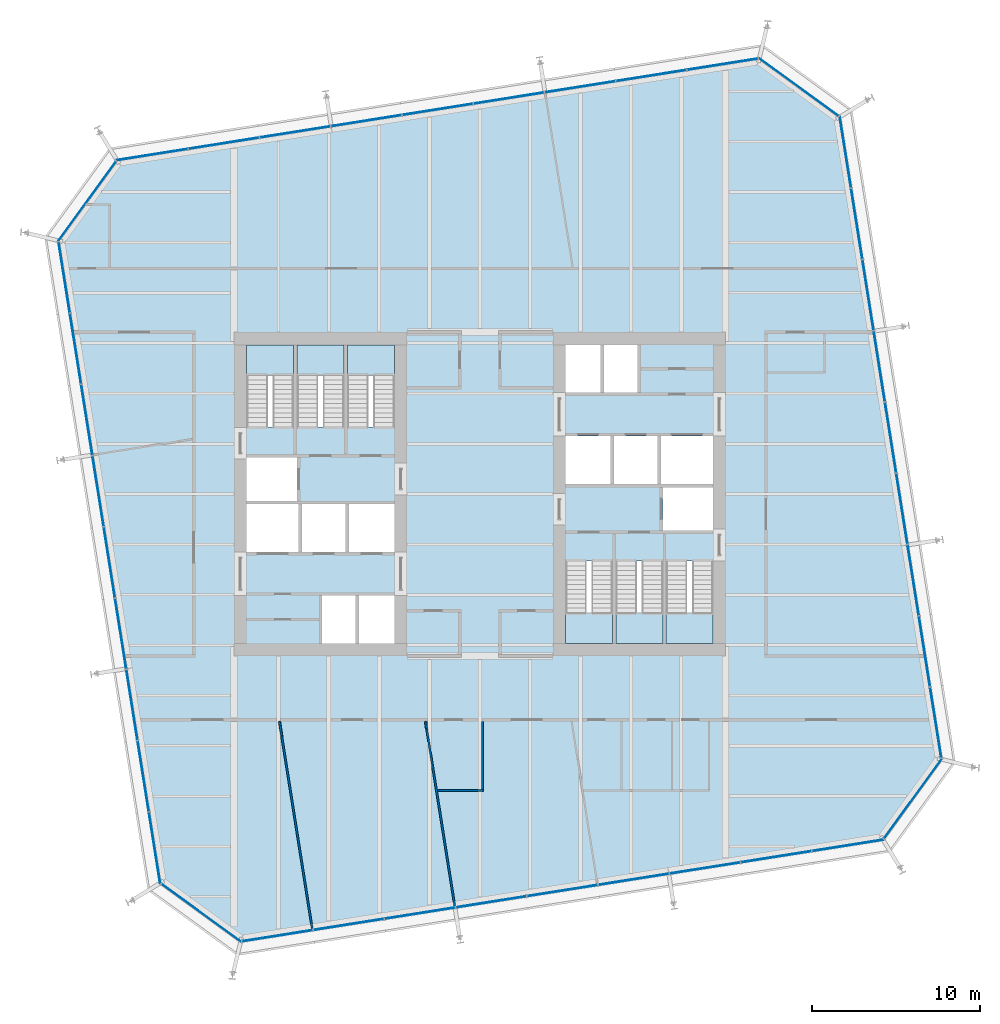
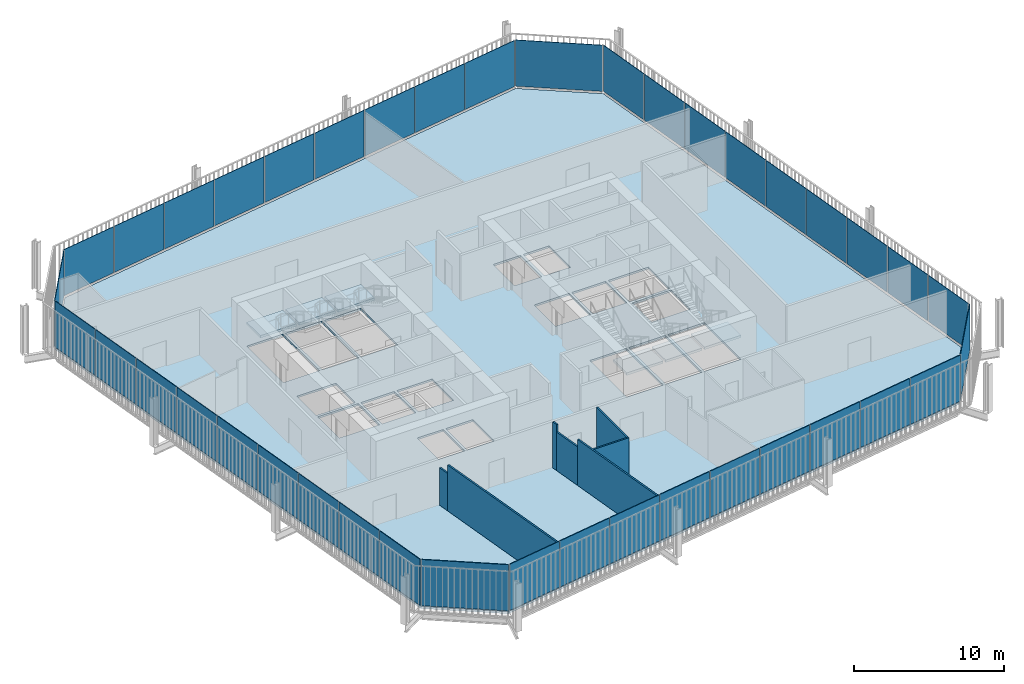
# One storey, part 16 of 21: 40 plates, 7 slabs, 7 walls, 14 elements without a shape of their own.
"""IFC4 building model written with IfcOpenShell, lengths in metres."""

from ifc_helpers import new_model, si_unit, direction, frame, frame_2d, origin, place, context, subcontext, project, spatial, polyline, rectangle, outline, extrude, material, layer, layer_set, type_object, element, aggregate, save


model = new_model("IFC4")

# Units and contexts
model_context = context("Model", 3, precision=1e-05, world=origin(), true_north=direction((0.0, 1.0)))
body_context = subcontext(model_context, "Body", "Model", "MODEL_VIEW")
ifc_project = project(units=[si_unit("LENGTHUNIT", "METRE"), si_unit("AREAUNIT", "SQUARE_METRE"), si_unit("VOLUMEUNIT", "CUBIC_METRE"), si_unit("PLANEANGLEUNIT", "RADIAN"), si_unit("MASSUNIT", "GRAM", prefix="KILO")], contexts=[model_context])

# Site, building, storey
site_placement = place(None, origin())
site = spatial("IfcSite", under=ifc_project, at=site_placement, CompositionType="ELEMENT")
building_placement = place(site_placement, origin())
building = spatial("IfcBuilding", under=site, at=building_placement, Name="Millrace Tower", CompositionType="ELEMENT")
storey_placement = place(building_placement, frame((0.0, 0.0, 149.0)))
storey = spatial("IfcBuildingStorey", under=building, at=storey_placement, Name="L33", CompositionType="ELEMENT", Elevation=149.0)

# Curtain wall, plate
ifc_material_1 = material(Name="Aluminium and glass", Category="aluminium")
ifc_layer_1 = layer(ifc_material_1, 0.14990234375)
ifc_layer_set_1 = layer_set([ifc_layer_1], Name="Aluminium and glass")
curtain_wall_type = type_object("IfcCurtainWallType", Name="CW-1 office vision curtain wall", PredefinedType="NOTDEFINED", material=ifc_layer_set_1)
placement_1 = place(storey_placement, origin())
curtain_wall_1 = element("IfcCurtainWall", 1, at=placement_1, inside=storey, type_object=curtain_wall_type, Name="Curtain wall C-F01 L33", PredefinedType="NOTDEFINED")
ifc_material_2 = material(Name="Glass", Category="glass")
ifc_layer_2 = layer(ifc_material_2, 0.0439453125)
ifc_layer_set_2 = layer_set([ifc_layer_2], Name="Glass")
plate_type = type_object("IfcPlateType", Name="CW-1 office vision curtain wall triple-glazed vision panel", PredefinedType="CURTAIN_PANEL", material=ifc_layer_set_2)
placement_2 = place(storey_placement, frame((0.0, 0.0, 0.139892578125)))
plate_1 = element("IfcPlate", 2, at=placement_2, type_object=plate_type, Name="CW1 panel C-F01.1", PredefinedType="CURTAIN_PANEL", context=body_context, shape_type="SweptSolid", body=[
    extrude(outline(polyline([(-18.988037109375, -23.254638671875), (-14.260009765625, -26.689697265625), (-14.2490234375, -26.6435546875), (-18.962158203125, -23.218994140625), (-18.988037109375, -23.254638671875)])), origin(), (0.0, 0.0, 1.0), 3.760009765625),
])
aggregate(curtain_wall_1, [plate_1])

# Curtain wall, plates
curtain_wall_2 = element("IfcCurtainWall", 3, at=placement_1, inside=storey, type_object=curtain_wall_type, Name="Curtain wall C-F02 L33", PredefinedType="NOTDEFINED")
plate_2 = element("IfcPlate", 4, at=placement_2, type_object=plate_type, Name="CW1 panel C-F02.1", PredefinedType="CURTAIN_PANEL", context=body_context, shape_type="SweptSolid", body=[
    extrude(outline(polyline([(-14.15625, -26.67333984375), (-9.973388671875, -26.0107421875), (-9.980224609375, -25.96728515625), (-14.1630859375, -26.6298828125), (-14.15625, -26.67333984375)])), origin(), (0.0, 0.0, 1.0), 3.760009765625),
])
plate_3 = element("IfcPlate", 5, at=placement_2, type_object=plate_type, Name="CW1 panel C-F02.2", PredefinedType="CURTAIN_PANEL", context=body_context, shape_type="SweptSolid", body=[
    extrude(outline(polyline([(-9.9091796875, -26.000732421875), (-5.726318359375, -25.338134765625), (-5.733154296875, -25.294677734375), (-9.916015625, -25.957275390625), (-9.9091796875, -26.000732421875)])), origin(), (0.0, 0.0, 1.0), 3.760009765625),
])
plate_4 = element("IfcPlate", 6, at=placement_2, type_object=plate_type, Name="CW1 panel C-F02.3", PredefinedType="CURTAIN_PANEL", context=body_context, shape_type="SweptSolid", body=[
    extrude(outline(polyline([(-5.662109375, -25.327880859375), (-1.479248046875, -24.66552734375), (-1.486083984375, -24.6220703125), (-5.6689453125, -25.284423828125), (-5.662109375, -25.327880859375)])), origin(), (0.0, 0.0, 1.0), 3.760009765625),
])
plate_5 = element("IfcPlate", 7, at=placement_2, type_object=plate_type, Name="CW1 panel C-F02.4", PredefinedType="CURTAIN_PANEL", context=body_context, shape_type="SweptSolid", body=[
    extrude(outline(polyline([(-1.4150390625, -24.6552734375), (2.767822265625, -23.992919921875), (2.760986328125, -23.949462890625), (-1.421875, -24.61181640625), (-1.4150390625, -24.6552734375)])), origin(), (0.0, 0.0, 1.0), 3.760009765625),
])
plate_6 = element("IfcPlate", 8, at=placement_2, type_object=plate_type, Name="CW1 panel C-F02.5", PredefinedType="CURTAIN_PANEL", context=body_context, shape_type="SweptSolid", body=[
    extrude(outline(polyline([(2.83203125, -23.982666015625), (7.014892578125, -23.320068359375), (7.008056640625, -23.276611328125), (2.8251953125, -23.939208984375), (2.83203125, -23.982666015625)])), origin(), (0.0, 0.0, 1.0), 3.760009765625),
])
plate_7 = element("IfcPlate", 9, at=placement_2, type_object=plate_type, Name="CW1 panel C-F02.6", PredefinedType="CURTAIN_PANEL", context=body_context, shape_type="SweptSolid", body=[
    extrude(outline(polyline([(7.0791015625, -23.31005859375), (11.261962890625, -22.6474609375), (11.255126953125, -22.60400390625), (7.072265625, -23.2666015625), (7.0791015625, -23.31005859375)])), origin(), (0.0, 0.0, 1.0), 3.760009765625),
])
plate_8 = element("IfcPlate", 10, at=placement_2, type_object=plate_type, Name="CW1 panel C-F02.7", PredefinedType="CURTAIN_PANEL", context=body_context, shape_type="SweptSolid", body=[
    extrude(outline(polyline([(11.326171875, -22.63720703125), (15.509033203125, -21.974853515625), (15.502197265625, -21.931396484375), (11.3193359375, -22.59375), (11.326171875, -22.63720703125)])), origin(), (0.0, 0.0, 1.0), 3.760009765625),
])
plate_9 = element("IfcPlate", 11, at=placement_2, type_object=plate_type, Name="CW1 panel C-F02.8", PredefinedType="CURTAIN_PANEL", context=body_context, shape_type="SweptSolid", body=[
    extrude(outline(polyline([(15.5732421875, -21.964599609375), (19.756103515625, -21.30224609375), (19.749267578125, -21.2587890625), (15.56640625, -21.921142578125), (15.5732421875, -21.964599609375)])), origin(), (0.0, 0.0, 1.0), 3.760009765625),
])
plate_10 = element("IfcPlate", 12, at=placement_2, type_object=plate_type, Name="CW1 panel C-F02.9", PredefinedType="CURTAIN_PANEL", context=body_context, shape_type="SweptSolid", body=[
    extrude(outline(polyline([(19.8203125, -21.2919921875), (24.042724609375, -20.623291015625), (24.01806640625, -20.58251953125), (19.8134765625, -21.24853515625), (19.8203125, -21.2919921875)])), origin(), (0.0, 0.0, 1.0), 3.760009765625),
])
aggregate(curtain_wall_2, [plate_2, plate_3, plate_4, plate_5, plate_6, plate_7, plate_8, plate_9, plate_10])

# Curtain wall, plate
curtain_wall_3 = element("IfcCurtainWall", 13, at=placement_1, inside=storey, type_object=curtain_wall_type, Name="Curtain wall C-F03 L33", PredefinedType="NOTDEFINED")
plate_11 = element("IfcPlate", 14, at=placement_2, type_object=plate_type, Name="CW1 panel C-F03.1", PredefinedType="CURTAIN_PANEL", context=body_context, shape_type="SweptSolid", body=[
    extrude(outline(polyline([(24.104736328125, -20.5380859375), (27.539794921875, -15.81005859375), (27.493408203125, -15.799072265625), (24.069091796875, -20.51220703125), (24.104736328125, -20.5380859375)])), origin(), (0.0, 0.0, 1.0), 3.760009765625),
])
aggregate(curtain_wall_3, [plate_11])

# Curtain wall, plates
curtain_wall_4 = element("IfcCurtainWall", 15, at=placement_1, inside=storey, type_object=curtain_wall_type, Name="Curtain wall C-F04 L33", PredefinedType="NOTDEFINED")
plate_12 = element("IfcPlate", 16, at=placement_2, type_object=plate_type, Name="CW1 panel C-F04.1", PredefinedType="CURTAIN_PANEL", context=body_context, shape_type="SweptSolid", body=[
    extrude(outline(polyline([(27.5234375, -15.706298828125), (26.86083984375, -11.5234375), (26.8173828125, -11.5302734375), (27.47998046875, -15.713134765625), (27.5234375, -15.706298828125)])), origin(), (0.0, 0.0, 1.0), 3.760009765625),
])
plate_13 = element("IfcPlate", 17, at=placement_2, type_object=plate_type, Name="CW1 panel C-F04.2", PredefinedType="CURTAIN_PANEL", context=body_context, shape_type="SweptSolid", body=[
    extrude(outline(polyline([(26.8505859375, -11.459228515625), (26.188232421875, -7.2763671875), (26.144775390625, -7.283203125), (26.80712890625, -11.466064453125), (26.8505859375, -11.459228515625)])), origin(), (0.0, 0.0, 1.0), 3.760009765625),
])
plate_14 = element("IfcPlate", 18, at=placement_2, type_object=plate_type, Name="CW1 panel C-F04.3", PredefinedType="CURTAIN_PANEL", context=body_context, shape_type="SweptSolid", body=[
    extrude(outline(polyline([(26.177978515625, -7.212158203125), (25.515380859375, -3.029296875), (25.471923828125, -3.0361328125), (26.134521484375, -7.218994140625), (26.177978515625, -7.212158203125)])), origin(), (0.0, 0.0, 1.0), 3.760009765625),
])
plate_15 = element("IfcPlate", 19, at=placement_2, type_object=plate_type, Name="CW1 panel C-F04.4", PredefinedType="CURTAIN_PANEL", context=body_context, shape_type="SweptSolid", body=[
    extrude(outline(polyline([(25.50537109375, -2.965087890625), (24.8427734375, 1.2177734375), (24.79931640625, 1.2109375), (25.4619140625, -2.971923828125), (25.50537109375, -2.965087890625)])), origin(), (0.0, 0.0, 1.0), 3.760009765625),
])
plate_16 = element("IfcPlate", 20, at=placement_2, type_object=plate_type, Name="CW1 panel C-F04.5", PredefinedType="CURTAIN_PANEL", context=body_context, shape_type="SweptSolid", body=[
    extrude(outline(polyline([(24.832763671875, 1.281982421875), (24.170166015625, 5.46484375), (24.126708984375, 5.4580078125), (24.789306640625, 1.275146484375), (24.832763671875, 1.281982421875)])), origin(), (0.0, 0.0, 1.0), 3.760009765625),
])
plate_17 = element("IfcPlate", 21, at=placement_2, type_object=plate_type, Name="CW1 panel C-F04.6", PredefinedType="CURTAIN_PANEL", context=body_context, shape_type="SweptSolid", body=[
    extrude(outline(polyline([(24.159912109375, 5.529052734375), (23.49755859375, 9.7119140625), (23.4541015625, 9.705078125), (24.116455078125, 5.522216796875), (24.159912109375, 5.529052734375)])), origin(), (0.0, 0.0, 1.0), 3.760009765625),
])
plate_18 = element("IfcPlate", 22, at=placement_2, type_object=plate_type, Name="CW1 panel C-F04.7", PredefinedType="CURTAIN_PANEL", context=body_context, shape_type="SweptSolid", body=[
    extrude(outline(polyline([(23.4873046875, 9.776123046875), (22.82470703125, 13.958984375), (22.78125, 13.9521484375), (23.44384765625, 9.769287109375), (23.4873046875, 9.776123046875)])), origin(), (0.0, 0.0, 1.0), 3.760009765625),
])
plate_19 = element("IfcPlate", 23, at=placement_2, type_object=plate_type, Name="CW1 panel C-F04.8", PredefinedType="CURTAIN_PANEL", context=body_context, shape_type="SweptSolid", body=[
    extrude(outline(polyline([(22.814697265625, 14.023193359375), (22.152099609375, 18.2060546875), (22.108642578125, 18.19921875), (22.771240234375, 14.016357421875), (22.814697265625, 14.023193359375)])), origin(), (0.0, 0.0, 1.0), 3.760009765625),
])
plate_20 = element("IfcPlate", 24, at=placement_2, type_object=plate_type, Name="CW1 panel C-F04.9", PredefinedType="CURTAIN_PANEL", context=body_context, shape_type="SweptSolid", body=[
    extrude(outline(polyline([(22.14208984375, 18.270263671875), (21.47314453125, 22.492919921875), (21.4326171875, 22.468017578125), (22.0986328125, 18.263427734375), (22.14208984375, 18.270263671875)])), origin(), (0.0, 0.0, 1.0), 3.760009765625),
])
aggregate(curtain_wall_4, [plate_12, plate_13, plate_14, plate_15, plate_16, plate_17, plate_18, plate_19, plate_20])

# Curtain wall, plate
curtain_wall_5 = element("IfcCurtainWall", 25, at=placement_1, inside=storey, type_object=curtain_wall_type, Name="Curtain wall C-F05 L33", PredefinedType="NOTDEFINED")
plate_21 = element("IfcPlate", 26, at=placement_2, type_object=plate_type, Name="CW1 panel C-F05.1", PredefinedType="CURTAIN_PANEL", context=body_context, shape_type="SweptSolid", body=[
    extrude(outline(polyline([(21.38818359375, 22.5546875), (16.66015625, 25.98974609375), (16.64892578125, 25.943359375), (21.3623046875, 22.51904296875), (21.38818359375, 22.5546875)])), origin(), (0.0, 0.0, 1.0), 3.760009765625),
])
aggregate(curtain_wall_5, [plate_21])

# Curtain wall, plates
curtain_wall_6 = element("IfcCurtainWall", 27, at=placement_1, inside=storey, type_object=curtain_wall_type, Name="Curtain wall C-F06 L33", PredefinedType="NOTDEFINED")
plate_22 = element("IfcPlate", 28, at=placement_2, type_object=plate_type, Name="CW1 panel C-F06.1", PredefinedType="CURTAIN_PANEL", context=body_context, shape_type="SweptSolid", body=[
    extrude(outline(polyline([(16.55615234375, 25.973388671875), (12.373291015625, 25.310791015625), (12.380126953125, 25.267333984375), (16.56298828125, 25.929931640625), (16.55615234375, 25.973388671875)])), origin(), (0.0, 0.0, 1.0), 3.760009765625),
])
plate_23 = element("IfcPlate", 29, at=placement_2, type_object=plate_type, Name="CW1 panel C-F06.2", PredefinedType="CURTAIN_PANEL", context=body_context, shape_type="SweptSolid", body=[
    extrude(outline(polyline([(12.30908203125, 25.300537109375), (8.126220703125, 24.63818359375), (8.133056640625, 24.5947265625), (12.31591796875, 25.257080078125), (12.30908203125, 25.300537109375)])), origin(), (0.0, 0.0, 1.0), 3.760009765625),
])
plate_24 = element("IfcPlate", 30, at=placement_2, type_object=plate_type, Name="CW1 panel C-F06.3", PredefinedType="CURTAIN_PANEL", context=body_context, shape_type="SweptSolid", body=[
    extrude(outline(polyline([(8.06201171875, 24.6279296875), (3.879150390625, 23.965576171875), (3.885986328125, 23.922119140625), (8.06884765625, 24.58447265625), (8.06201171875, 24.6279296875)])), origin(), (0.0, 0.0, 1.0), 3.760009765625),
])
plate_25 = element("IfcPlate", 31, at=placement_2, type_object=plate_type, Name="CW1 panel C-F06.4", PredefinedType="CURTAIN_PANEL", context=body_context, shape_type="SweptSolid", body=[
    extrude(outline(polyline([(3.81494140625, 23.955322265625), (-0.367919921875, 23.292724609375), (-0.361083984375, 23.249267578125), (3.82177734375, 23.911865234375), (3.81494140625, 23.955322265625)])), origin(), (0.0, 0.0, 1.0), 3.760009765625),
])
plate_26 = element("IfcPlate", 32, at=placement_2, type_object=plate_type, Name="CW1 panel C-F06.5", PredefinedType="CURTAIN_PANEL", context=body_context, shape_type="SweptSolid", body=[
    extrude(outline(polyline([(-0.43212890625, 23.28271484375), (-4.614990234375, 22.6201171875), (-4.60791015625, 22.57666015625), (-0.42529296875, 23.2392578125), (-0.43212890625, 23.28271484375)])), origin(), (0.0, 0.0, 1.0), 3.760009765625),
])
plate_27 = element("IfcPlate", 33, at=placement_2, type_object=plate_type, Name="CW1 panel C-F06.6", PredefinedType="CURTAIN_PANEL", context=body_context, shape_type="SweptSolid", body=[
    extrude(outline(polyline([(-4.67919921875, 22.60986328125), (-8.862060546875, 21.947509765625), (-8.85498046875, 21.904052734375), (-4.672119140625, 22.56640625), (-4.67919921875, 22.60986328125)])), origin(), (0.0, 0.0, 1.0), 3.760009765625),
])
plate_28 = element("IfcPlate", 34, at=placement_2, type_object=plate_type, Name="CW1 panel C-F06.7", PredefinedType="CURTAIN_PANEL", context=body_context, shape_type="SweptSolid", body=[
    extrude(outline(polyline([(-8.92626953125, 21.937255859375), (-13.109130859375, 21.27490234375), (-13.10205078125, 21.2314453125), (-8.919189453125, 21.893798828125), (-8.92626953125, 21.937255859375)])), origin(), (0.0, 0.0, 1.0), 3.760009765625),
])
plate_29 = element("IfcPlate", 35, at=placement_2, type_object=plate_type, Name="CW1 panel C-F06.8", PredefinedType="CURTAIN_PANEL", context=body_context, shape_type="SweptSolid", body=[
    extrude(outline(polyline([(-13.17333984375, 21.2646484375), (-17.356201171875, 20.60205078125), (-17.34912109375, 20.55859375), (-13.166259765625, 21.22119140625), (-13.17333984375, 21.2646484375)])), origin(), (0.0, 0.0, 1.0), 3.760009765625),
])
plate_30 = element("IfcPlate", 36, at=placement_2, type_object=plate_type, Name="CW1 panel C-F06.9", PredefinedType="CURTAIN_PANEL", context=body_context, shape_type="SweptSolid", body=[
    extrude(outline(polyline([(-17.42041015625, 20.592041015625), (-21.642822265625, 19.923095703125), (-21.617919921875, 19.882568359375), (-17.413330078125, 20.548583984375), (-17.42041015625, 20.592041015625)])), origin(), (0.0, 0.0, 1.0), 3.760009765625),
])
aggregate(curtain_wall_6, [plate_22, plate_23, plate_24, plate_25, plate_26, plate_27, plate_28, plate_29, plate_30])

# Curtain wall, plate
curtain_wall_7 = element("IfcCurtainWall", 37, at=placement_1, inside=storey, type_object=curtain_wall_type, Name="Curtain wall C-F07 L33", PredefinedType="NOTDEFINED")
plate_31 = element("IfcPlate", 38, at=placement_2, type_object=plate_type, Name="CW1 panel C-F07.1", PredefinedType="CURTAIN_PANEL", context=body_context, shape_type="SweptSolid", body=[
    extrude(outline(polyline([(-21.70458984375, 19.838134765625), (-25.139892578125, 15.110107421875), (-25.093505859375, 15.098876953125), (-21.6689453125, 19.812255859375), (-21.70458984375, 19.838134765625)])), origin(), (0.0, 0.0, 1.0), 3.760009765625),
])
aggregate(curtain_wall_7, [plate_31])

# Curtain wall, plates
curtain_wall_8 = element("IfcCurtainWall", 39, at=placement_1, inside=storey, type_object=curtain_wall_type, Name="Curtain wall C-F08 L33", PredefinedType="NOTDEFINED")
plate_32 = element("IfcPlate", 40, at=placement_2, type_object=plate_type, Name="CW1 panel C-F08.1", PredefinedType="CURTAIN_PANEL", context=body_context, shape_type="SweptSolid", body=[
    extrude(outline(polyline([(-25.123291015625, 15.006103515625), (-24.4609375, 10.8232421875), (-24.41748046875, 10.830322265625), (-25.079833984375, 15.01318359375), (-25.123291015625, 15.006103515625)])), origin(), (0.0, 0.0, 1.0), 3.760009765625),
])
plate_33 = element("IfcPlate", 41, at=placement_2, type_object=plate_type, Name="CW1 panel C-F08.2", PredefinedType="CURTAIN_PANEL", context=body_context, shape_type="SweptSolid", body=[
    extrude(outline(polyline([(-24.45068359375, 10.759033203125), (-23.7880859375, 6.576171875), (-23.74462890625, 6.583251953125), (-24.4072265625, 10.76611328125), (-24.45068359375, 10.759033203125)])), origin(), (0.0, 0.0, 1.0), 3.760009765625),
])
plate_34 = element("IfcPlate", 42, at=placement_2, type_object=plate_type, Name="CW1 panel C-F08.3", PredefinedType="CURTAIN_PANEL", context=body_context, shape_type="SweptSolid", body=[
    extrude(outline(polyline([(-23.778076171875, 6.511962890625), (-23.115478515625, 2.3291015625), (-23.072021484375, 2.336181640625), (-23.734619140625, 6.51904296875), (-23.778076171875, 6.511962890625)])), origin(), (0.0, 0.0, 1.0), 3.760009765625),
])
plate_35 = element("IfcPlate", 43, at=placement_2, type_object=plate_type, Name="CW1 panel C-F08.4", PredefinedType="CURTAIN_PANEL", context=body_context, shape_type="SweptSolid", body=[
    extrude(outline(polyline([(-23.105224609375, 2.264892578125), (-22.44287109375, -1.91796875), (-22.3994140625, -1.910888671875), (-23.061767578125, 2.27197265625), (-23.105224609375, 2.264892578125)])), origin(), (0.0, 0.0, 1.0), 3.760009765625),
])
plate_36 = element("IfcPlate", 44, at=placement_2, type_object=plate_type, Name="CW1 panel C-F08.5", PredefinedType="CURTAIN_PANEL", context=body_context, shape_type="SweptSolid", body=[
    extrude(outline(polyline([(-22.4326171875, -1.98193359375), (-21.770263671875, -6.164794921875), (-21.726806640625, -6.157958984375), (-22.38916015625, -1.97509765625), (-22.4326171875, -1.98193359375)])), origin(), (0.0, 0.0, 1.0), 3.760009765625),
])
plate_37 = element("IfcPlate", 45, at=placement_2, type_object=plate_type, Name="CW1 panel C-F08.6", PredefinedType="CURTAIN_PANEL", context=body_context, shape_type="SweptSolid", body=[
    extrude(outline(polyline([(-21.760009765625, -6.22900390625), (-21.097412109375, -10.411865234375), (-21.053955078125, -10.405029296875), (-21.716552734375, -6.22216796875), (-21.760009765625, -6.22900390625)])), origin(), (0.0, 0.0, 1.0), 3.760009765625),
])
plate_38 = element("IfcPlate", 46, at=placement_2, type_object=plate_type, Name="CW1 panel C-F08.7", PredefinedType="CURTAIN_PANEL", context=body_context, shape_type="SweptSolid", body=[
    extrude(outline(polyline([(-21.08740234375, -10.47607421875), (-20.4248046875, -14.658935546875), (-20.38134765625, -14.652099609375), (-21.0439453125, -10.46923828125), (-21.08740234375, -10.47607421875)])), origin(), (0.0, 0.0, 1.0), 3.760009765625),
])
plate_39 = element("IfcPlate", 47, at=placement_2, type_object=plate_type, Name="CW1 panel C-F08.8", PredefinedType="CURTAIN_PANEL", context=body_context, shape_type="SweptSolid", body=[
    extrude(outline(polyline([(-20.41455078125, -14.72314453125), (-19.752197265625, -18.906005859375), (-19.708740234375, -18.899169921875), (-20.37109375, -14.71630859375), (-20.41455078125, -14.72314453125)])), origin(), (0.0, 0.0, 1.0), 3.760009765625),
])
plate_40 = element("IfcPlate", 48, at=placement_2, type_object=plate_type, Name="CW1 panel C-F08.9", PredefinedType="CURTAIN_PANEL", context=body_context, shape_type="SweptSolid", body=[
    extrude(outline(polyline([(-19.741943359375, -18.97021484375), (-19.0732421875, -23.19287109375), (-19.032470703125, -23.16796875), (-19.698486328125, -18.96337890625), (-19.741943359375, -18.97021484375)])), origin(), (0.0, 0.0, 1.0), 3.760009765625),
])
aggregate(curtain_wall_8, [plate_32, plate_33, plate_34, plate_35, plate_36, plate_37, plate_38, plate_39, plate_40])

# Slab
ifc_material_3 = material(Name="Concrete C35 on steel deck", Category="concrete")
ifc_layer_3 = layer(ifc_material_3, 0.159912109375)
ifc_layer_set_3 = layer_set([ifc_layer_3], Name="Concrete C35 on steel deck")
slab_type_1 = type_object("IfcSlabType", Name="Composite floor slab 160 mm", PredefinedType="FLOOR", material=ifc_layer_set_3)
slab_1_placement = place(storey_placement, frame((0.0, 0.0, -0.159912109375)))
element("IfcSlab", 49, at=slab_1_placement, inside=storey, type_object=slab_type_1, Name="SL-C-L33-S1", PredefinedType="FLOOR", context=body_context, shape_type="SweptSolid", body=[
    extrude(outline(polyline([(-18.983642578125, -23.137939453125), (-14.235595703125, -26.587646484375), (23.988037109375, -20.53369140625), (27.437744140625, -15.78564453125), (21.3837890625, 22.43798828125), (16.635498046875, 25.8876953125), (-21.587890625, 19.833740234375), (-25.03759765625, 15.08544921875), (-18.983642578125, -23.137939453125)]), holes=[polyline([(-9.39990234375, -8.89990234375), (-7.39990234375, -8.89990234375), (-7.39990234375, -6.050048828125), (-9.39990234375, -6.050048828125), (-9.39990234375, -8.89990234375)]), polyline([(-7.199951171875, -8.89990234375), (-5.10009765625, -8.89990234375), (-5.10009765625, -6.050048828125), (-7.199951171875, -6.050048828125), (-7.199951171875, -8.89990234375)]), polyline([(-13.89990234375, -3.449951171875), (-10.800048828125, -3.449951171875), (-10.800048828125, -0.60009765625), (-13.89990234375, -0.60009765625), (-13.89990234375, -3.449951171875)]), polyline([(-10.60009765625, -3.449951171875), (-8.0, -3.449951171875), (-8.0, -0.60009765625), (-10.60009765625, -0.60009765625), (-10.60009765625, -3.449951171875)]), polyline([(-7.800048828125, -3.449951171875), (-5.10009765625, -3.449951171875), (-5.10009765625, -0.60009765625), (-7.800048828125, -0.60009765625), (-7.800048828125, -3.449951171875)]), polyline([(-13.89990234375, -0.39990234375), (-10.89990234375, -0.39990234375), (-10.89990234375, 2.179931640625), (-13.89990234375, 2.179931640625), (-13.89990234375, -0.39990234375)]), polyline([(-13.89990234375, 4.0), (-11.10009765625, 4.0), (-11.10009765625, 8.89990234375), (-13.89990234375, 8.89990234375), (-13.89990234375, 4.0)]), polyline([(-10.89990234375, 4.0), (-8.10009765625, 4.0), (-8.10009765625, 8.89990234375), (-10.89990234375, 8.89990234375), (-10.89990234375, 4.0)]), polyline([(-7.89990234375, 4.0), (-5.10009765625, 4.0), (-5.10009765625, 8.89990234375), (-7.89990234375, 8.89990234375), (-7.89990234375, 4.0)]), polyline([(7.39990234375, 6.050048828125), (9.39990234375, 6.050048828125), (9.39990234375, 8.89990234375), (7.39990234375, 8.89990234375), (7.39990234375, 6.050048828125)]), polyline([(5.10009765625, 6.050048828125), (7.199951171875, 6.050048828125), (7.199951171875, 8.89990234375), (5.10009765625, 8.89990234375), (5.10009765625, 6.050048828125)]), polyline([(10.800048828125, 0.60009765625), (13.89990234375, 0.60009765625), (13.89990234375, 3.449951171875), (10.800048828125, 3.449951171875), (10.800048828125, 0.60009765625)]), polyline([(8.0, 0.60009765625), (10.60009765625, 0.60009765625), (10.60009765625, 3.449951171875), (8.0, 3.449951171875), (8.0, 0.60009765625)]), polyline([(5.10009765625, 0.60009765625), (7.800048828125, 0.60009765625), (7.800048828125, 3.449951171875), (5.10009765625, 3.449951171875), (5.10009765625, 0.60009765625)]), polyline([(10.89990234375, -2.179931640625), (13.89990234375, -2.179931640625), (13.89990234375, 0.39990234375), (10.89990234375, 0.39990234375), (10.89990234375, -2.179931640625)]), polyline([(11.10009765625, -8.89990234375), (13.89990234375, -8.89990234375), (13.89990234375, -4.0), (11.10009765625, -4.0), (11.10009765625, -8.89990234375)]), polyline([(8.10009765625, -8.89990234375), (10.89990234375, -8.89990234375), (10.89990234375, -4.0), (8.10009765625, -4.0), (8.10009765625, -8.89990234375)]), polyline([(5.10009765625, -8.89990234375), (7.89990234375, -8.89990234375), (7.89990234375, -4.0), (5.10009765625, -4.0), (5.10009765625, -8.89990234375)])]), origin(), (0.0, 0.0, 1.0), 0.159912109375),
])

# Stair, slab
ifc_material_4 = material(Name="Concrete C35", Category="concrete")
stair_type = type_object("IfcStairType", Name="Exit stair", PredefinedType="HALF_TURN_STAIR", material=ifc_material_4)
stair_1 = element("IfcStair", 50, at=placement_1, inside=storey, type_object=stair_type, Name="Stair 1 W L33", PredefinedType="HALF_TURN_STAIR")
ifc_material_5 = material(Name="Concrete C40", Category="concrete")
ifc_layer_4 = layer(ifc_material_5, 0.199951171875)
ifc_layer_set_4 = layer_set([ifc_layer_4], Name="Concrete C40")
slab_type_2 = type_object("IfcSlabType", Name="Stair landing", PredefinedType="LANDING", material=ifc_layer_set_4)
placement_3 = place(storey_placement, frame((0.0, 0.0, 1.75)))
slab_2 = element("IfcSlab", 51, at=placement_3, type_object=slab_type_2, Name="ST12 landing 1", PredefinedType="LANDING", context=body_context, shape_type="SweptSolid", body=[
    extrude(outline(polyline([(-13.89990234375, 7.080078125), (-11.10009765625, 7.080078125), (-11.10009765625, 8.89990234375), (-13.89990234375, 8.89990234375), (-13.89990234375, 7.080078125)])), origin(), (0.0, 0.0, 1.0), 0.199951171875),
])
aggregate(stair_1, [slab_2])

stair_2 = element("IfcStair", 52, at=placement_1, inside=storey, type_object=stair_type, Name="Stair 2 W L33", PredefinedType="HALF_TURN_STAIR")
slab_3 = element("IfcSlab", 53, at=placement_3, type_object=slab_type_2, Name="ST12 landing 1", PredefinedType="LANDING", context=body_context, shape_type="SweptSolid", body=[
    extrude(outline(polyline([(-10.89990234375, 7.080078125), (-8.10009765625, 7.080078125), (-8.10009765625, 8.89990234375), (-10.89990234375, 8.89990234375), (-10.89990234375, 7.080078125)])), origin(), (0.0, 0.0, 1.0), 0.199951171875),
])
aggregate(stair_2, [slab_3])

stair_3 = element("IfcStair", 54, at=placement_1, inside=storey, type_object=stair_type, Name="Stair 3 W L33", PredefinedType="HALF_TURN_STAIR")
slab_4 = element("IfcSlab", 55, at=placement_3, type_object=slab_type_2, Name="ST12 landing 1", PredefinedType="LANDING", context=body_context, shape_type="SweptSolid", body=[
    extrude(outline(polyline([(-7.89990234375, 7.080078125), (-5.10009765625, 7.080078125), (-5.10009765625, 8.89990234375), (-7.89990234375, 8.89990234375), (-7.89990234375, 7.080078125)])), origin(), (0.0, 0.0, 1.0), 0.199951171875),
])
aggregate(stair_3, [slab_4])

stair_4 = element("IfcStair", 56, at=placement_1, inside=storey, type_object=stair_type, Name="Stair 1 E L33", PredefinedType="HALF_TURN_STAIR")
slab_5 = element("IfcSlab", 57, at=placement_3, type_object=slab_type_2, Name="ST12 landing 1", PredefinedType="LANDING", context=body_context, shape_type="SweptSolid", body=[
    extrude(outline(polyline([(11.10009765625, -8.89990234375), (13.89990234375, -8.89990234375), (13.89990234375, -7.080078125), (11.10009765625, -7.080078125), (11.10009765625, -8.89990234375)])), origin(), (0.0, 0.0, 1.0), 0.199951171875),
])
aggregate(stair_4, [slab_5])

stair_5 = element("IfcStair", 58, at=placement_1, inside=storey, type_object=stair_type, Name="Stair 2 E L33", PredefinedType="HALF_TURN_STAIR")
slab_6 = element("IfcSlab", 59, at=placement_3, type_object=slab_type_2, Name="ST12 landing 1", PredefinedType="LANDING", context=body_context, shape_type="SweptSolid", body=[
    extrude(outline(polyline([(8.10009765625, -8.89990234375), (10.89990234375, -8.89990234375), (10.89990234375, -7.080078125), (8.10009765625, -7.080078125), (8.10009765625, -8.89990234375)])), origin(), (0.0, 0.0, 1.0), 0.199951171875),
])
aggregate(stair_5, [slab_6])

stair_6 = element("IfcStair", 60, at=placement_1, inside=storey, type_object=stair_type, Name="Stair 3 E L33", PredefinedType="HALF_TURN_STAIR")
slab_7 = element("IfcSlab", 61, at=placement_3, type_object=slab_type_2, Name="ST12 landing 1", PredefinedType="LANDING", context=body_context, shape_type="SweptSolid", body=[
    extrude(outline(polyline([(5.10009765625, -8.89990234375), (7.89990234375, -8.89990234375), (7.89990234375, -7.080078125), (5.10009765625, -7.080078125), (5.10009765625, -8.89990234375)])), origin(), (0.0, 0.0, 1.0), 0.199951171875),
])
aggregate(stair_6, [slab_7])

# Walls
ifc_material_6 = material(Name="Gypsum board partition")
ifc_layer_5 = layer(ifc_material_6, 0.1201171875)
ifc_layer_set_5 = layer_set([ifc_layer_5], Name="Gypsum board partition")
wall_type = type_object("IfcWallType", Name="Partition wall 120", PredefinedType="PARTITIONING", material=ifc_layer_set_5)
wall_1_placement = place(storey_placement, frame((-11.947265625, -13.548828125, 0.0), z_axis=(0.0, 0.0, 1.0), x_axis=(0.15631155546, -0.987707799721, 0.0)))
element("IfcWall", 62, at=wall_1_placement, inside=storey, type_object=wall_type, Name="Partition wall L33", PredefinedType="PARTITIONING", context=body_context, shape_type="SweptSolid", body=[
    extrude(rectangle(XDim=0.862060546875, YDim=0.1201171875, at=frame_2d((0.43115234375, 0.0))), origin(), (0.0, 0.0, 1.0), 3.046630859375),
])
wall_2_placement = place(storey_placement, frame((-11.8125, -14.400390625, 0.0), z_axis=(0.0, 0.0, 1.0), x_axis=(0.156430221344, -0.987689012721, 0.0)))
element("IfcWall", 63, at=wall_2_placement, inside=storey, type_object=wall_type, Name="Partition wall L33", PredefinedType="PARTITIONING", context=body_context, shape_type="SweptSolid", body=[
    extrude(rectangle(XDim=11.68798828125, YDim=0.1201171875, at=frame_2d((5.843994140625, 0.0))), origin(), (0.0, 0.0, 1.0), 3.739990234375),
])
wall_3_placement = place(storey_placement, frame((-3.240234375, -13.548828125, 0.0), z_axis=(0.0, 0.0, 1.0), x_axis=(0.15660825182, -0.9876607998, 0.0)))
element("IfcWall", 64, at=wall_3_placement, inside=storey, type_object=wall_type, Name="Partition wall L33", PredefinedType="PARTITIONING", context=body_context, shape_type="SweptSolid", body=[
    extrude(rectangle(XDim=0.42724609375, YDim=0.1201171875, at=frame_2d((0.213623046875, 0.0))), origin(), (0.0, 0.0, 1.0), 3.739990234375),
])
wall_4_placement = place(storey_placement, frame((-3.17333984375, -13.970703125, 0.0), z_axis=(0.0, 0.0, 1.0), x_axis=(0.156528601046, -0.987673426318, 0.0)))
element("IfcWall", 65, at=wall_4_placement, inside=storey, type_object=wall_type, Name="Partition wall L33", PredefinedType="PARTITIONING", context=body_context, shape_type="SweptSolid", body=[
    extrude(rectangle(XDim=2.21484375, YDim=0.1201171875, at=frame_2d((1.107421875, 0.0))), origin(), (0.0, 0.0, 1.0), 3.1328125),
])
wall_5_placement = place(storey_placement, frame((-2.82666015625, -16.158203125, 0.0), z_axis=(0.0, 0.0, 1.0), x_axis=(0.156629989726, -0.987657352688, 0.0)))
element("IfcWall", 66, at=wall_5_placement, inside=storey, type_object=wall_type, Name="Partition wall L33", PredefinedType="PARTITIONING", context=body_context, shape_type="SweptSolid", body=[
    extrude(rectangle(XDim=8.54638671875, YDim=0.1201171875, at=frame_2d((4.273193359375, 0.0))), origin(), (0.0, 0.0, 1.0), 3.739990234375),
])
wall_6_placement = place(storey_placement, frame((-2.530029296875, -17.64990234375, 0.0), z_axis=(0.0, 0.0, 1.0), x_axis=(1.0, 0.0, 0.0)))
element("IfcWall", 67, at=wall_6_placement, inside=storey, type_object=wall_type, Name="Partition wall L33", PredefinedType="PARTITIONING", context=body_context, shape_type="SweptSolid", body=[
    extrude(rectangle(XDim=2.734130859375, YDim=0.1201171875, at=frame_2d((1.3671875, 0.0))), origin(), (0.0, 0.0, 1.0), 3.739990234375),
])
wall_7_placement = place(storey_placement, frame((0.14404296875, -17.590087890625, 0.0), z_axis=(0.0, 0.0, 1.0), x_axis=(0.0, 1.0, 0.0)))
element("IfcWall", 68, at=wall_7_placement, inside=storey, type_object=wall_type, Name="Partition wall L33", PredefinedType="PARTITIONING", context=body_context, shape_type="SweptSolid", body=[
    extrude(rectangle(XDim=4.0400390625, YDim=0.1201171875, at=frame_2d((2.02001953125, 0.0))), origin(), (0.0, 0.0, 1.0), 3.739990234375),
])

save(model, "model.ifc")
